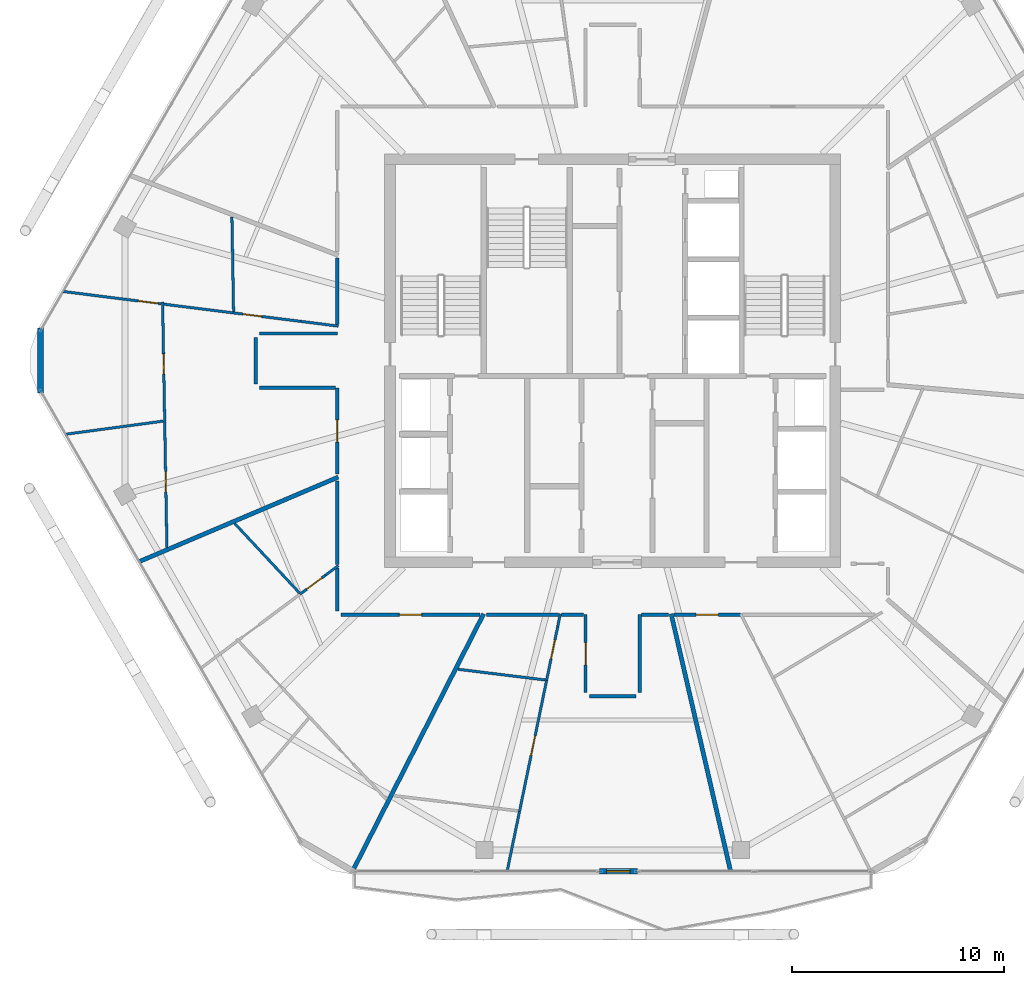
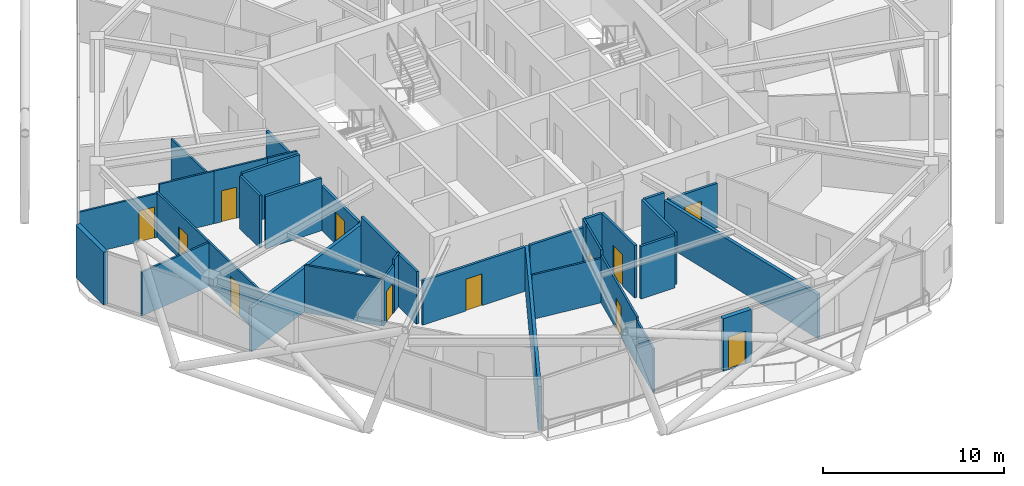
# One storey, part 17 of 23: 35 walls, 12 doors, 12 openings.
"""IFC4 building model written with IfcOpenShell, lengths in metres."""

from ifc_helpers import new_model, si_unit, direction, frame, frame_2d, origin, place, context, subcontext, project, spatial, rectangle, extrude, material, layer, layer_set, type_object, element, fill, save


model = new_model("IFC4")

# Units and contexts
model_context = context("Model", 3, precision=1e-05, world=origin(), true_north=direction((0.0, 1.0)))
body_context = subcontext(model_context, "Body", "Model", "MODEL_VIEW")
ifc_project = project(units=[si_unit("LENGTHUNIT", "METRE"), si_unit("AREAUNIT", "SQUARE_METRE"), si_unit("VOLUMEUNIT", "CUBIC_METRE"), si_unit("PLANEANGLEUNIT", "RADIAN"), si_unit("MASSUNIT", "GRAM", prefix="KILO")], contexts=[model_context])

# Site, building, storey
site_placement = place(None, origin())
site = spatial("IfcSite", under=ifc_project, at=site_placement, CompositionType="ELEMENT")
building_placement = place(site_placement, origin())
building = spatial("IfcBuilding", under=site, at=building_placement, Name="Zuhravey Tower", CompositionType="ELEMENT")
storey_placement = place(building_placement, frame((0.0, 0.0, 323.39990234375)))
storey = spatial("IfcBuildingStorey", under=building, at=storey_placement, Name="L82", CompositionType="ELEMENT", Elevation=323.39990234375)

# Wall, opening, door
ifc_material_1 = material(Name="Gypsum fire-rated stud partition")
ifc_layer_1 = layer(ifc_material_1, 0.159912109375)
ifc_layer_set_1 = layer_set([ifc_layer_1], Name="Gypsum fire-rated stud partition")
wall_type_1 = type_object("IfcWallType", Name="Corridor Fire Partition 160", PredefinedType="PARTITIONING", material=ifc_layer_set_1)
wall_1_placement = place(storey_placement, frame((23.02001953125, 30.719970703125, 0.0), z_axis=(0.0, 0.0, 1.0), x_axis=(0.0, -1.0, 0.0)))
wall_1 = element("IfcWall", 1, at=wall_1_placement, inside=storey, type_object=wall_type_1, Name="L82 IW16 Partition 030", PredefinedType="PARTITIONING", context=body_context, shape_type="SweptSolid", body=[
    extrude(rectangle(XDim=4.07470703125, YDim=0.159912109375, at=frame_2d((2.037353515625, 0.0))), origin(), (0.0, 0.0, 1.0), 3.0),
])
opening_1_placement = place(wall_1_placement, frame((1.512451171875, 0.0, 0.0)))
opening_1 = element("IfcOpeningElement", 2, at=opening_1_placement, cuts=wall_1, Name="Opening APD1", PredefinedType="OPENING", context=body_context, shape_type="SweptSolid", body=[
    extrude(rectangle(XDim=1.050048828125, YDim=2.14990234375, at=frame_2d((0.52490234375, 1.074951171875))), frame((0.0, 0.092041015625, 0.0), z_axis=(0.0, -1.0, 0.0), x_axis=(1.0, 0.0, 0.0)), (0.0, 0.0, 1.0), 0.183837890625),
])
ifc_material_2 = material(Name="Solid-core oak fire-rated leaf")
door_type_1 = type_object("IfcDoorType", Name="Apartment Entrance Fire Door 1050x2150", OperationType="NOTDEFINED", PredefinedType="DOOR", material=ifc_material_2)
door_1_placement = place(opening_1_placement, frame((1.050048828125, 0.0, 0.0), z_axis=(0.0, 0.0, 1.0), x_axis=(-1.0, 0.0, 0.0)))
door_1 = element("IfcDoor", 3, at=door_1_placement, inside=storey, type_object=door_type_1, Name="L82 Door 030.1", OperationType="SINGLE_SWING_LEFT", OverallHeight=2.14990234375, OverallWidth=1.050048828125, PredefinedType="DOOR", context=body_context, shape_type="SweptSolid", body=[
    extrude(rectangle(XDim=1.050048828125, YDim=2.14990234375, at=frame_2d((0.52490234375, 1.074951171875))), frame((0.0, 0.02490234375, 0.0), z_axis=(0.0, -1.0, 0.0), x_axis=(1.0, 0.0, 0.0)), (0.0, 0.0, 1.0), 0.050048828125),
])
fill(opening_1, door_1)

wall_2_placement = place(storey_placement, frame((23.199951171875, 20.02001953125, 0.0), z_axis=(0.0, 0.0, 1.0), x_axis=(1.0, 0.0, 0.0)))
wall_2 = element("IfcWall", 4, at=wall_2_placement, inside=storey, type_object=wall_type_1, Name="L82 IW16 Partition 035", PredefinedType="PARTITIONING", context=body_context, shape_type="SweptSolid", body=[
    extrude(rectangle(XDim=6.541259765625, YDim=0.159912109375, at=frame_2d((3.2705078125, 0.0))), origin(), (0.0, 0.0, 1.0), 3.0),
])
opening_2_placement = place(wall_2_placement, frame((2.74560546875, 0.0, 0.0)))
opening_2 = element("IfcOpeningElement", 5, at=opening_2_placement, cuts=wall_2, Name="Opening APD1", PredefinedType="OPENING", context=body_context, shape_type="SweptSolid", body=[
    extrude(rectangle(XDim=1.050048828125, YDim=2.14990234375, at=frame_2d((0.52490234375, 1.074951171875))), frame((0.0, 0.092041015625, 0.0), z_axis=(0.0, -1.0, 0.0), x_axis=(1.0, 0.0, 0.0)), (0.0, 0.0, 1.0), 0.183837890625),
])
door_2_placement = place(opening_2_placement, frame((1.050048828125, 0.0, 0.0), z_axis=(0.0, 0.0, 1.0), x_axis=(-1.0, 0.0, 0.0)))
door_2 = element("IfcDoor", 6, at=door_2_placement, inside=storey, type_object=door_type_1, Name="L82 Door 035.1", OperationType="SINGLE_SWING_RIGHT", OverallHeight=2.14990234375, OverallWidth=1.050048828125, PredefinedType="DOOR", context=body_context, shape_type="SweptSolid", body=[
    extrude(rectangle(XDim=1.050048828125, YDim=2.14990234375, at=frame_2d((0.52490234375, 1.074951171875))), frame((0.0, 0.02490234375, 0.0), z_axis=(0.0, -1.0, 0.0), x_axis=(1.0, 0.0, 0.0)), (0.0, 0.0, 1.0), 0.050048828125),
])
fill(opening_2, door_2)

wall_3_placement = place(storey_placement, frame((34.719970703125, 20.02001953125, 0.0), z_axis=(0.0, 0.0, 1.0), x_axis=(0.0, -1.0, 0.0)))
wall_3 = element("IfcWall", 7, at=wall_3_placement, inside=storey, type_object=wall_type_1, Name="L82 IW16 Partition 039", PredefinedType="PARTITIONING", context=body_context, shape_type="SweptSolid", body=[
    extrude(rectangle(XDim=3.669921875, YDim=0.159912109375, at=frame_2d((1.8349609375, 0.0))), origin(), (0.0, 0.0, 1.0), 3.550048828125),
])
opening_3_placement = place(wall_3_placement, frame((1.31005859375, 0.0, 0.0)))
opening_3 = element("IfcOpeningElement", 8, at=opening_3_placement, cuts=wall_3, Name="Opening APD1", PredefinedType="OPENING", context=body_context, shape_type="SweptSolid", body=[
    extrude(rectangle(XDim=1.050048828125, YDim=2.14990234375, at=frame_2d((0.52490234375, 1.074951171875))), frame((0.0, 0.092041015625, 0.0), z_axis=(0.0, -1.0, 0.0), x_axis=(1.0, 0.0, 0.0)), (0.0, 0.0, 1.0), 0.183837890625),
])
door_3_placement = place(opening_3_placement, origin())
door_3 = element("IfcDoor", 9, at=door_3_placement, inside=storey, type_object=door_type_1, Name="L82 Door 039.1", OperationType="SINGLE_SWING_RIGHT", OverallHeight=2.14990234375, OverallWidth=1.050048828125, PredefinedType="DOOR", context=body_context, shape_type="SweptSolid", body=[
    extrude(rectangle(XDim=1.050048828125, YDim=2.14990234375, at=frame_2d((0.52490234375, 1.074951171875))), frame((0.0, 0.02490234375, 0.0), z_axis=(0.0, -1.0, 0.0), x_axis=(1.0, 0.0, 0.0)), (0.0, 0.0, 1.0), 0.050048828125),
])
fill(opening_3, door_3)

wall_4_placement = place(storey_placement, frame((38.896728515625, 20.02001953125, 0.0), z_axis=(0.0, 0.0, 1.0), x_axis=(1.0, 0.0, 0.0)))
wall_4 = element("IfcWall", 10, at=wall_4_placement, inside=storey, type_object=wall_type_1, Name="L82 IW16 Partition 043", PredefinedType="PARTITIONING", context=body_context, shape_type="SweptSolid", body=[
    extrude(rectangle(XDim=3.13232421875, YDim=0.159912109375, at=frame_2d((1.566162109375, 0.0))), origin(), (0.0, 0.0, 1.0), 3.0),
])
opening_4_placement = place(wall_4_placement, frame((1.041259765625, 0.0, 0.0)))
opening_4 = element("IfcOpeningElement", 11, at=opening_4_placement, cuts=wall_4, Name="Opening APD1", PredefinedType="OPENING", context=body_context, shape_type="SweptSolid", body=[
    extrude(rectangle(XDim=1.050048828125, YDim=2.14990234375, at=frame_2d((0.52490234375, 1.074951171875))), frame((0.0, 0.092041015625, 0.0), z_axis=(0.0, -1.0, 0.0), x_axis=(1.0, 0.0, 0.0)), (0.0, 0.0, 1.0), 0.183837890625),
])
door_4_placement = place(opening_4_placement, frame((1.050048828125, 0.0, 0.0), z_axis=(0.0, 0.0, 1.0), x_axis=(-1.0, 0.0, 0.0)))
door_4 = element("IfcDoor", 12, at=door_4_placement, inside=storey, type_object=door_type_1, Name="L82 Door 043.1", OperationType="SINGLE_SWING_RIGHT", OverallHeight=2.14990234375, OverallWidth=1.050048828125, PredefinedType="DOOR", context=body_context, shape_type="SweptSolid", body=[
    extrude(rectangle(XDim=1.050048828125, YDim=2.14990234375, at=frame_2d((0.52490234375, 1.074951171875))), frame((0.0, 0.02490234375, 0.0), z_axis=(0.0, -1.0, 0.0), x_axis=(1.0, 0.0, 0.0)), (0.0, 0.0, 1.0), 0.050048828125),
])
fill(opening_4, door_4)

# Walls
wall_5_placement = place(storey_placement, frame((23.02001953125, 33.280029296875, 0.0), z_axis=(0.0, 0.0, 1.0), x_axis=(-1.0, 0.0, 0.0)))
element("IfcWall", 13, at=wall_5_placement, inside=storey, type_object=wall_type_1, Name="L82 IW16 Partition 095", PredefinedType="PARTITIONING", context=body_context, shape_type="SweptSolid", body=[
    extrude(rectangle(XDim=3.669921875, YDim=0.159912109375, at=frame_2d((1.8349609375, 0.0))), origin(), (0.0, 0.0, 1.0), 3.550048828125),
])
wall_6_placement = place(storey_placement, frame((19.35009765625, 30.719970703125, 0.0), z_axis=(0.0, 0.0, 1.0), x_axis=(1.0, 0.0, 0.0)))
element("IfcWall", 14, at=wall_6_placement, inside=storey, type_object=wall_type_1, Name="L82 IW16 Partition 096", PredefinedType="PARTITIONING", context=body_context, shape_type="SweptSolid", body=[
    extrude(rectangle(XDim=3.581787109375, YDim=0.159912109375, at=frame_2d((1.791015625, 0.0))), origin(), (0.0, 0.0, 1.0), 3.550048828125),
])
wall_7_placement = place(storey_placement, frame((19.169921875, 33.10009765625, 0.0), z_axis=(0.0, 0.0, 1.0), x_axis=(0.0, -1.0, 0.0)))
element("IfcWall", 15, at=wall_7_placement, inside=storey, type_object=wall_type_1, Name="L82 IW16 Partition 097", PredefinedType="PARTITIONING", context=body_context, shape_type="SweptSolid", body=[
    extrude(rectangle(XDim=2.2001953125, YDim=0.159912109375, at=frame_2d((1.10009765625, 0.0))), origin(), (0.0, 0.0, 1.0), 3.550048828125),
])
wall_8_placement = place(storey_placement, frame((23.02001953125, 36.831787109375, 0.0), z_axis=(0.0, 0.0, 1.0), x_axis=(0.0, -1.0, 0.0)))
element("IfcWall", 16, at=wall_8_placement, inside=storey, type_object=wall_type_1, Name="L82 IW16 Partition 098", PredefinedType="PARTITIONING", context=body_context, shape_type="SweptSolid", body=[
    extrude(rectangle(XDim=3.13037109375, YDim=0.159912109375, at=frame_2d((1.565185546875, 0.0))), origin(), (0.0, 0.0, 1.0), 3.0),
])
wall_9_placement = place(storey_placement, frame((23.02001953125, 22.218994140625, 0.0), z_axis=(0.0, 0.0, 1.0), x_axis=(0.0, -1.0, 0.0)))
element("IfcWall", 17, at=wall_9_placement, inside=storey, type_object=wall_type_1, Name="L82 IW16 Partition 099", PredefinedType="PARTITIONING", context=body_context, shape_type="SweptSolid", body=[
    extrude(rectangle(XDim=2.01904296875, YDim=0.159912109375, at=frame_2d((1.009521484375, 0.0))), origin(), (0.0, 0.0, 1.0), 3.550048828125),
])
wall_10_placement = place(storey_placement, frame((23.02001953125, 26.334228515625, 0.0), z_axis=(0.0, 0.0, 1.0), x_axis=(0.0, -1.0, 0.0)))
element("IfcWall", 18, at=wall_10_placement, inside=storey, type_object=wall_type_1, Name="L82 IW16 Partition 100", PredefinedType="PARTITIONING", context=body_context, shape_type="SweptSolid", body=[
    extrude(rectangle(XDim=3.9453125, YDim=0.159912109375, at=frame_2d((1.97265625, 0.0))), origin(), (0.0, 0.0, 1.0), 3.550048828125),
])
wall_11_placement = place(storey_placement, frame((37.280029296875, 16.35009765625, 0.0), z_axis=(0.0, 0.0, 1.0), x_axis=(0.0, 1.0, 0.0)))
element("IfcWall", 19, at=wall_11_placement, inside=storey, type_object=wall_type_1, Name="L82 IW16 Partition 101", PredefinedType="PARTITIONING", context=body_context, shape_type="SweptSolid", body=[
    extrude(rectangle(XDim=3.669921875, YDim=0.159912109375, at=frame_2d((1.8349609375, 0.0))), origin(), (0.0, 0.0, 1.0), 3.550048828125),
])
wall_12_placement = place(storey_placement, frame((34.89990234375, 16.169921875, 0.0), z_axis=(0.0, 0.0, 1.0), x_axis=(1.0, 0.0, 0.0)))
element("IfcWall", 20, at=wall_12_placement, inside=storey, type_object=wall_type_1, Name="L82 IW16 Partition 102", PredefinedType="PARTITIONING", context=body_context, shape_type="SweptSolid", body=[
    extrude(rectangle(XDim=2.2001953125, YDim=0.159912109375, at=frame_2d((1.10009765625, 0.0))), origin(), (0.0, 0.0, 1.0), 3.550048828125),
])
wall_13_placement = place(storey_placement, frame((37.367919921875, 20.02001953125, 0.0), z_axis=(0.0, 0.0, 1.0), x_axis=(1.0, 0.0, 0.0)))
element("IfcWall", 21, at=wall_13_placement, inside=storey, type_object=wall_type_1, Name="L82 IW16 Partition 103", PredefinedType="PARTITIONING", context=body_context, shape_type="SweptSolid", body=[
    extrude(rectangle(XDim=1.267578125, YDim=0.159912109375, at=frame_2d((0.6337890625, 0.0))), origin(), (0.0, 0.0, 1.0), 3.550048828125),
])
wall_14_placement = place(storey_placement, frame((33.5927734375, 20.02001953125, 0.0), z_axis=(0.0, 0.0, 1.0), x_axis=(1.0, 0.0, 0.0)))
element("IfcWall", 22, at=wall_14_placement, inside=storey, type_object=wall_type_1, Name="L82 IW16 Partition 104", PredefinedType="PARTITIONING", context=body_context, shape_type="SweptSolid", body=[
    extrude(rectangle(XDim=1.039306640625, YDim=0.159912109375, at=frame_2d((0.51953125, 0.0))), origin(), (0.0, 0.0, 1.0), 3.550048828125),
])
wall_15_placement = place(storey_placement, frame((30.04931640625, 20.02001953125, 0.0), z_axis=(0.0, 0.0, 1.0), x_axis=(1.0, 0.0, 0.0)))
element("IfcWall", 23, at=wall_15_placement, inside=storey, type_object=wall_type_1, Name="L82 IW16 Partition 105", PredefinedType="PARTITIONING", context=body_context, shape_type="SweptSolid", body=[
    extrude(rectangle(XDim=3.40478515625, YDim=0.159912109375, at=frame_2d((1.702392578125, 0.0))), origin(), (0.0, 0.0, 1.0), 3.0),
])

# Wall, opening, door
ifc_material_3 = material(Name="Precast concrete C40/50", Category="concrete")
ifc_layer_2 = layer(ifc_material_3, 0.280029296875)
ifc_layer_set_2 = layer_set([ifc_layer_2], Name="Precast concrete C40/50")
wall_type_2 = type_object("IfcWallType", Name="Crown Architectural Wall 280", PredefinedType="SOLIDWALL", material=ifc_layer_set_2)
wall_16_placement = place(storey_placement, frame((37.16357421875, 7.92578125, 0.0), z_axis=(0.0, 0.0, 1.0), x_axis=(-1.0, 0.0, 0.0)))
wall_16 = element("IfcWall", 24, at=wall_16_placement, inside=storey, type_object=wall_type_2, Name="L82 Face 5 Facade Pier EW28-1", PredefinedType="SOLIDWALL", context=body_context, shape_type="SweptSolid", body=[
    extrude(rectangle(XDim=1.7900390625, YDim=0.280029296875, at=frame_2d((0.89501953125, 0.0))), origin(), (0.0, 0.0, 1.0), 3.550048828125),
])
opening_5_placement = place(wall_16_placement, frame((0.344970703125, 0.0, 0.0)))
opening_5 = element("IfcOpeningElement", 25, at=opening_5_placement, cuts=wall_16, Name="Opening BLD1", PredefinedType="OPENING", context=body_context, shape_type="SweptSolid", body=[
    extrude(rectangle(XDim=1.10009765625, YDim=2.199951171875, at=frame_2d((0.550048828125, 1.10009765625))), frame((0.0, 0.152099609375, 0.0), z_axis=(0.0, -1.0, 0.0), x_axis=(1.0, 0.0, 0.0)), (0.0, 0.0, 1.0), 0.303955078125),
])
ifc_material_4 = material(Name="Thermally broken aluminium and low-E glass", Category="aluminium")
door_type_2 = type_object("IfcDoorType", Name="Balcony & Sky-Tray Glazed Door 1100x2200", OperationType="NOTDEFINED", PredefinedType="DOOR", material=ifc_material_4)
door_5_placement = place(opening_5_placement, frame((1.10009765625, 0.0, 0.0), z_axis=(0.0, 0.0, 1.0), x_axis=(-1.0, 0.0, 0.0)))
door_5 = element("IfcDoor", 26, at=door_5_placement, inside=storey, type_object=door_type_2, Name="L82 Face 5 Wave Balcony Door", OperationType="SINGLE_SWING_LEFT", OverallHeight=2.199951171875, OverallWidth=1.10009765625, PredefinedType="DOOR", context=body_context, shape_type="SweptSolid", body=[
    extrude(rectangle(XDim=1.10009765625, YDim=2.199951171875, at=frame_2d((0.550048828125, 1.10009765625))), frame((0.0, 0.02490234375, 0.0), z_axis=(0.0, -1.0, 0.0), x_axis=(1.0, 0.0, 0.0)), (0.0, 0.0, 1.0), 0.050048828125),
])
fill(opening_5, door_5)

# Walls
wall_17_placement = place(storey_placement, frame((9.031494140625, 30.467529296875, 0.0), z_axis=(0.0, 0.0, 1.0), x_axis=(0.0, 1.0, 0.0)))
element("IfcWall", 27, at=wall_17_placement, inside=storey, type_object=wall_type_2, Name="L82 Rounded Corner Closure Wall EW28-06", PredefinedType="SOLIDWALL", context=body_context, shape_type="SweptSolid", body=[
    extrude(rectangle(XDim=3.06494140625, YDim=0.280029296875, at=frame_2d((1.532470703125, 0.0))), origin(), (0.0, 0.0, 1.0), 3.550048828125),
])
ifc_material_5 = material(Name="Gypsum double-stud party assembly")
ifc_layer_3 = layer(ifc_material_5, 0.199951171875)
ifc_layer_set_3 = layer_set([ifc_layer_3], Name="Gypsum double-stud party assembly")
wall_type_3 = type_object("IfcWallType", Name="Inter-Tenancy Party Wall 200", PredefinedType="PARTITIONING", material=ifc_layer_set_3)
wall_18_placement = place(storey_placement, frame((23.06005859375, 26.50732421875, 0.0), z_axis=(0.0, 0.0, 1.0), x_axis=(-0.920506642252, -0.390726914314, 0.0)))
element("IfcWall", 28, at=wall_18_placement, inside=storey, type_object=wall_type_3, Name="L82 IW20 Partition 067", PredefinedType="PARTITIONING", context=body_context, shape_type="SweptSolid", body=[
    extrude(rectangle(XDim=10.197265625, YDim=0.199951171875, at=frame_2d((5.0986328125, 0.0))), origin(), (0.0, 0.0, 1.0), 2.97021484375),
])
wall_19_placement = place(storey_placement, frame((29.916259765625, 20.06005859375, 0.0), z_axis=(0.0, 0.0, 1.0), x_axis=(-0.453984595432, -0.891009532559, 0.0)))
element("IfcWall", 29, at=wall_19_placement, inside=storey, type_object=wall_type_3, Name="L82 IW20 Partition 071", PredefinedType="PARTITIONING", context=body_context, shape_type="SweptSolid", body=[
    extrude(rectangle(XDim=13.617919921875, YDim=0.199951171875, at=frame_2d((6.80908203125, 0.0))), origin(), (0.0, 0.0, 1.0), 2.97021484375),
])
wall_20_placement = place(storey_placement, frame((38.756591796875, 20.06005859375, 0.0), z_axis=(0.0, 0.0, 1.0), x_axis=(0.224939685303, -0.974372689465, 0.0)))
element("IfcWall", 30, at=wall_20_placement, inside=storey, type_object=wall_type_3, Name="L82 IW20 Partition 075", PredefinedType="PARTITIONING", context=body_context, shape_type="SweptSolid", body=[
    extrude(rectangle(XDim=12.453369140625, YDim=0.199951171875, at=frame_2d((6.2265625, 0.0))), origin(), (0.0, 0.0, 1.0), 2.97021484375),
])

# Wall, openings, doors
ifc_material_6 = material(Name="Gypsum metal-stud partition")
ifc_layer_4 = layer(ifc_material_6, 0.1201171875)
ifc_layer_set_4 = layer_set([ifc_layer_4], Name="Gypsum metal-stud partition")
wall_type_4 = type_object("IfcWallType", Name="Unit Internal Partition 120", PredefinedType="PARTITIONING", material=ifc_layer_set_4)
wall_21_placement = place(storey_placement, frame((14.77978515625, 34.770263671875, 0.0), z_axis=(0.0, 0.0, 1.0), x_axis=(0.017447291159, -0.999847784431, 0.0)))
wall_21 = element("IfcWall", 31, at=wall_21_placement, inside=storey, type_object=wall_type_4, Name="L82 IW12 Partition 026", PredefinedType="PARTITIONING", context=body_context, shape_type="SweptSolid", body=[
    extrude(rectangle(XDim=11.586181640625, YDim=0.1201171875, at=frame_2d((5.79296875, 0.0))), origin(), (0.0, 0.0, 1.0), 3.0),
])
opening_6_placement = place(wall_21_placement, frame((2.45263671875, 0.0, 0.0)))
opening_6 = element("IfcOpeningElement", 32, at=opening_6_placement, cuts=wall_21, Name="Opening IND1", PredefinedType="OPENING", context=body_context, shape_type="SweptSolid", body=[
    extrude(rectangle(XDim=0.949951171875, YDim=2.10009765625, at=frame_2d((0.47509765625, 1.050048828125))), frame((0.0, 0.072021484375, 0.0), z_axis=(0.0, -1.0, 0.0), x_axis=(1.0, 0.0, 0.0)), (0.0, 0.0, 1.0), 0.14404296875),
])
opening_7_placement = place(wall_21_placement, frame((8.005126953125, 0.0, 0.0)))
opening_7 = element("IfcOpeningElement", 33, at=opening_7_placement, cuts=wall_21, Name="Opening IND1", PredefinedType="OPENING", context=body_context, shape_type="SweptSolid", body=[
    extrude(rectangle(XDim=0.949951171875, YDim=2.10009765625, at=frame_2d((0.47509765625, 1.050048828125))), frame((0.0, 0.072021484375, 0.0), z_axis=(0.0, -1.0, 0.0), x_axis=(1.0, 0.0, 0.0)), (0.0, 0.0, 1.0), 0.14404296875),
])
ifc_material_7 = material(Name="Painted engineered timber leaf", Category="wood")
door_type_3 = type_object("IfcDoorType", Name="Internal Room & Bedroom Door 950x2100", OperationType="NOTDEFINED", PredefinedType="DOOR", material=ifc_material_7)
door_6_placement = place(opening_6_placement, frame((0.949951171875, 0.0, 0.0), z_axis=(0.0, 0.0, 1.0), x_axis=(-1.0, 0.0, 0.0)))
door_6 = element("IfcDoor", 34, at=door_6_placement, inside=storey, type_object=door_type_3, Name="Apartment L82-02 Family Study Door", OperationType="SINGLE_SWING_LEFT", OverallHeight=2.10009765625, OverallWidth=0.949951171875, PredefinedType="DOOR", context=body_context, shape_type="SweptSolid", body=[
    extrude(rectangle(XDim=0.949951171875, YDim=2.10009765625, at=frame_2d((0.47509765625, 1.050048828125))), frame((0.0, 0.02490234375, 0.0), z_axis=(0.0, -1.0, 0.0), x_axis=(1.0, 0.0, 0.0)), (0.0, 0.0, 1.0), 0.050048828125),
])
fill(opening_6, door_6)
door_7_placement = place(opening_7_placement, frame((0.949951171875, 0.0, 0.0), z_axis=(0.0, 0.0, 1.0), x_axis=(-1.0, 0.0, 0.0)))
door_7 = element("IfcDoor", 35, at=door_7_placement, inside=storey, type_object=door_type_3, Name="Apartment L82-02 Dining Room Door", OperationType="SINGLE_SWING_RIGHT", OverallHeight=2.10009765625, OverallWidth=0.949951171875, PredefinedType="DOOR", context=body_context, shape_type="SweptSolid", body=[
    extrude(rectangle(XDim=0.949951171875, YDim=2.10009765625, at=frame_2d((0.47509765625, 1.050048828125))), frame((0.0, 0.02490234375, 0.0), z_axis=(0.0, -1.0, 0.0), x_axis=(1.0, 0.0, 0.0)), (0.0, 0.0, 1.0), 0.050048828125),
])
fill(opening_7, door_7)

# Wall, opening, door
wall_22_placement = place(storey_placement, frame((21.293701171875, 33.85009765625, 0.0), z_axis=(0.0, 0.0, 1.0), x_axis=(-0.992178326729, 0.1248285543, 0.0)))
wall_22 = element("IfcWall", 36, at=wall_22_placement, inside=storey, type_object=wall_type_4, Name="L82 IW12 Partition 027", PredefinedType="PARTITIONING", context=body_context, shape_type="SweptSolid", body=[
    extrude(rectangle(XDim=3.21728515625, YDim=0.1201171875, at=frame_2d((1.608642578125, 0.0))), origin(), (0.0, 0.0, 1.0), 3.550048828125),
])
opening_8_placement = place(wall_22_placement, frame((1.856201171875, 0.0, 0.0)))
opening_8 = element("IfcOpeningElement", 37, at=opening_8_placement, cuts=wall_22, Name="Opening WCD1", PredefinedType="OPENING", context=body_context, shape_type="SweptSolid", body=[
    extrude(rectangle(XDim=0.89990234375, YDim=2.10009765625, at=frame_2d((0.449951171875, 1.050048828125))), frame((0.0, 0.072021484375, 0.0), z_axis=(0.0, -1.0, 0.0), x_axis=(1.0, 0.0, 0.0)), (0.0, 0.0, 1.0), 0.14404296875),
])
ifc_material_8 = material(Name="Moisture-resistant timber leaf", Category="wood")
door_type_4 = type_object("IfcDoorType", Name="Bathroom & WC Internal Door 900x2100", OperationType="NOTDEFINED", PredefinedType="DOOR", material=ifc_material_8)
door_8_placement = place(opening_8_placement, frame((0.89990234375, 0.0, 0.0), z_axis=(0.0, 0.0, 1.0), x_axis=(-1.0, 0.0, 0.0)))
door_8 = element("IfcDoor", 38, at=door_8_placement, inside=storey, type_object=door_type_4, Name="Apartment L82-02 Bathroom Door", OperationType="SINGLE_SWING_LEFT", OverallHeight=2.10009765625, OverallWidth=0.89990234375, PredefinedType="DOOR", context=body_context, shape_type="SweptSolid", body=[
    extrude(rectangle(XDim=0.89990234375, YDim=2.10009765625, at=frame_2d((0.449951171875, 1.050048828125))), frame((0.0, 0.02490234375, 0.0), z_axis=(0.0, -1.0, 0.0), x_axis=(1.0, 0.0, 0.0)), (0.0, 0.0, 1.0), 0.050048828125),
])
fill(opening_8, door_8)

# Wall
wall_23_placement = place(storey_placement, frame((18.1015625, 34.251708984375, 0.0), z_axis=(0.0, 0.0, 1.0), x_axis=(-0.992185927593, 0.124768125279, 0.0)))
element("IfcWall", 39, at=wall_23_placement, inside=storey, type_object=wall_type_4, Name="L82 IW12 Partition 028", PredefinedType="PARTITIONING", context=body_context, shape_type="SweptSolid", body=[
    extrude(rectangle(XDim=3.277587890625, YDim=0.1201171875, at=frame_2d((1.638671875, 0.0))), origin(), (0.0, 0.0, 1.0), 3.550048828125),
])

# Wall, opening, door
wall_24_placement = place(storey_placement, frame((14.71337890625, 34.677734375, 0.0), z_axis=(0.0, 0.0, 1.0), x_axis=(-0.992180233529, 0.124813397493, 0.0)))
wall_24 = element("IfcWall", 40, at=wall_24_placement, inside=storey, type_object=wall_type_4, Name="L82 IW12 Partition 029", PredefinedType="PARTITIONING", context=body_context, shape_type="SweptSolid", body=[
    extrude(rectangle(XDim=4.669189453125, YDim=0.1201171875, at=frame_2d((2.33447265625, 0.0))), origin(), (0.0, 0.0, 1.0), 2.97021484375),
])
opening_9_placement = place(wall_24_placement, frame((0.139892578125, 0.0, 0.0)))
opening_9 = element("IfcOpeningElement", 41, at=opening_9_placement, cuts=wall_24, Name="Opening IND1", PredefinedType="OPENING", context=body_context, shape_type="SweptSolid", body=[
    extrude(rectangle(XDim=0.949951171875, YDim=2.10009765625, at=frame_2d((0.47509765625, 1.050048828125))), frame((0.0, 0.072021484375, 0.0), z_axis=(0.0, -1.0, 0.0), x_axis=(1.0, 0.0, 0.0)), (0.0, 0.0, 1.0), 0.14404296875),
])
door_9_placement = place(opening_9_placement, frame((0.949951171875, 0.0, 0.0), z_axis=(0.0, 0.0, 1.0), x_axis=(-1.0, 0.0, 0.0)))
door_9 = element("IfcDoor", 42, at=door_9_placement, inside=storey, type_object=door_type_3, Name="Apartment L82-02 Bedroom 1 Door", OperationType="SINGLE_SWING_RIGHT", OverallHeight=2.10009765625, OverallWidth=0.949951171875, PredefinedType="DOOR", context=body_context, shape_type="SweptSolid", body=[
    extrude(rectangle(XDim=0.949951171875, YDim=2.10009765625, at=frame_2d((0.47509765625, 1.050048828125))), frame((0.0, 0.02490234375, 0.0), z_axis=(0.0, -1.0, 0.0), x_axis=(1.0, 0.0, 0.0)), (0.0, 0.0, 1.0), 0.050048828125),
])
fill(opening_9, door_9)

wall_25_placement = place(storey_placement, frame((22.449951171875, 21.878173828125, 0.0), z_axis=(0.0, 0.0, 1.0), x_axis=(-0.801099101306, -0.598531728388, 0.0)))
wall_25 = element("IfcWall", 43, at=wall_25_placement, inside=storey, type_object=wall_type_4, Name="L82 IW12 Partition 032", PredefinedType="PARTITIONING", context=body_context, shape_type="SweptSolid", body=[
    extrude(rectangle(XDim=1.490966796875, YDim=0.1201171875, at=frame_2d((0.74560546875, 0.0))), origin(), (0.0, 0.0, 1.0), 3.2001953125),
])
opening_10_placement = place(wall_25_placement, frame((0.199951171875, 0.0, 0.0)))
opening_10 = element("IfcOpeningElement", 44, at=opening_10_placement, cuts=wall_25, Name="Opening WCD1", PredefinedType="OPENING", context=body_context, shape_type="SweptSolid", body=[
    extrude(rectangle(XDim=0.89990234375, YDim=2.10009765625, at=frame_2d((0.449951171875, 1.050048828125))), frame((0.0, 0.072021484375, 0.0), z_axis=(0.0, -1.0, 0.0), x_axis=(1.0, 0.0, 0.0)), (0.0, 0.0, 1.0), 0.14404296875),
])
door_10_placement = place(opening_10_placement, frame((0.89990234375, 0.0, 0.0), z_axis=(0.0, 0.0, 1.0), x_axis=(-1.0, 0.0, 0.0)))
door_10 = element("IfcDoor", 45, at=door_10_placement, inside=storey, type_object=door_type_4, Name="Apartment L82-03 Bathroom Door", OperationType="SINGLE_SWING_RIGHT", OverallHeight=2.10009765625, OverallWidth=0.89990234375, PredefinedType="DOOR", context=body_context, shape_type="SweptSolid", body=[
    extrude(rectangle(XDim=0.89990234375, YDim=2.10009765625, at=frame_2d((0.449951171875, 1.050048828125))), frame((0.0, 0.02490234375, 0.0), z_axis=(0.0, -1.0, 0.0), x_axis=(1.0, 0.0, 0.0)), (0.0, 0.0, 1.0), 0.050048828125),
])
fill(opening_10, door_10)

wall_26_placement = place(storey_placement, frame((33.405517578125, 19.449951171875, 0.0), z_axis=(0.0, 0.0, 1.0), x_axis=(-0.202468586372, -0.979288757993, 0.0)))
wall_26 = element("IfcWall", 46, at=wall_26_placement, inside=storey, type_object=wall_type_4, Name="L82 IW12 Partition 036", PredefinedType="PARTITIONING", context=body_context, shape_type="SweptSolid", body=[
    extrude(rectangle(XDim=2.592529296875, YDim=0.1201171875, at=frame_2d((1.29638671875, 0.0))), origin(), (0.0, 0.0, 1.0), 3.550048828125),
])
opening_11_placement = place(wall_26_placement, frame((0.638916015625, 0.0, 0.0)))
opening_11 = element("IfcOpeningElement", 47, at=opening_11_placement, cuts=wall_26, Name="Opening WCD1", PredefinedType="OPENING", context=body_context, shape_type="SweptSolid", body=[
    extrude(rectangle(XDim=0.89990234375, YDim=2.10009765625, at=frame_2d((0.449951171875, 1.050048828125))), frame((0.0, 0.072021484375, 0.0), z_axis=(0.0, -1.0, 0.0), x_axis=(1.0, 0.0, 0.0)), (0.0, 0.0, 1.0), 0.14404296875),
])
door_11_placement = place(opening_11_placement, frame((0.89990234375, 0.0, 0.0), z_axis=(0.0, 0.0, 1.0), x_axis=(-1.0, 0.0, 0.0)))
door_11 = element("IfcDoor", 48, at=door_11_placement, inside=storey, type_object=door_type_4, Name="Apartment L82-04 Bathroom Door", OperationType="SINGLE_SWING_LEFT", OverallHeight=2.10009765625, OverallWidth=0.89990234375, PredefinedType="DOOR", context=body_context, shape_type="SweptSolid", body=[
    extrude(rectangle(XDim=0.89990234375, YDim=2.10009765625, at=frame_2d((0.449951171875, 1.050048828125))), frame((0.0, 0.02490234375, 0.0), z_axis=(0.0, -1.0, 0.0), x_axis=(1.0, 0.0, 0.0)), (0.0, 0.0, 1.0), 0.050048828125),
])
fill(opening_11, door_11)

wall_27_placement = place(storey_placement, frame((32.880859375, 16.9111328125, 0.0), z_axis=(0.0, 0.0, 1.0), x_axis=(-0.202463483785, -0.979289812943, 0.0)))
wall_27 = element("IfcWall", 49, at=wall_27_placement, inside=storey, type_object=wall_type_4, Name="L82 IW12 Partition 037", PredefinedType="PARTITIONING", context=body_context, shape_type="SweptSolid", body=[
    extrude(rectangle(XDim=6.305419921875, YDim=0.1201171875, at=frame_2d((3.15283203125, 0.0))), origin(), (0.0, 0.0, 1.0), 3.2001953125),
])
opening_12_placement = place(wall_27_placement, frame((2.652587890625, 0.0, 0.0)))
opening_12 = element("IfcOpeningElement", 50, at=opening_12_placement, cuts=wall_27, Name="Opening IND1", PredefinedType="OPENING", context=body_context, shape_type="SweptSolid", body=[
    extrude(rectangle(XDim=0.949951171875, YDim=2.10009765625, at=frame_2d((0.47509765625, 1.050048828125))), frame((0.0, 0.072021484375, 0.0), z_axis=(0.0, -1.0, 0.0), x_axis=(1.0, 0.0, 0.0)), (0.0, 0.0, 1.0), 0.14404296875),
])
door_12_placement = place(opening_12_placement, frame((0.949951171875, 0.0, 0.0), z_axis=(0.0, 0.0, 1.0), x_axis=(-1.0, 0.0, 0.0)))
door_12 = element("IfcDoor", 51, at=door_12_placement, inside=storey, type_object=door_type_3, Name="Apartment L82-04 Home Office Door", OperationType="SINGLE_SWING_RIGHT", OverallHeight=2.10009765625, OverallWidth=0.949951171875, PredefinedType="DOOR", context=body_context, shape_type="SweptSolid", body=[
    extrude(rectangle(XDim=0.949951171875, YDim=2.10009765625, at=frame_2d((0.47509765625, 1.050048828125))), frame((0.0, 0.02490234375, 0.0), z_axis=(0.0, -1.0, 0.0), x_axis=(1.0, 0.0, 0.0)), (0.0, 0.0, 1.0), 0.050048828125),
])
fill(opening_12, door_12)

# Walls
wall_28_placement = place(storey_placement, frame((14.809814453125, 29.148193359375, 0.0), z_axis=(0.0, 0.0, 1.0), x_axis=(-0.99106212133, -0.133401168156, 0.0)))
element("IfcWall", 52, at=wall_28_placement, inside=storey, type_object=wall_type_4, Name="L82 IW12 Partition 064", PredefinedType="PARTITIONING", context=body_context, shape_type="SweptSolid", body=[
    extrude(rectangle(XDim=4.677734375, YDim=0.1201171875, at=frame_2d((2.3388671875, 0.0))), origin(), (0.0, 0.0, 1.0), 2.97021484375),
])
wall_29_placement = place(storey_placement, frame((23.064697265625, 33.627197265625, 0.0), z_axis=(0.0, 0.0, 1.0), x_axis=(-0.992172307506, 0.124876387752, 0.0)))
element("IfcWall", 53, at=wall_29_placement, inside=storey, type_object=wall_type_4, Name="L82 IW12 Partition 065", PredefinedType="PARTITIONING", context=body_context, shape_type="SweptSolid", body=[
    extrude(rectangle(XDim=1.784912109375, YDim=0.1201171875, at=frame_2d((0.892578125, 0.0))), origin(), (0.0, 0.0, 1.0), 3.550048828125),
])
wall_30_placement = place(storey_placement, frame((18.047607421875, 38.775634765625, 0.0), z_axis=(0.0, 0.0, 1.0), x_axis=(0.017410568339, -0.999848424567, 0.0)))
element("IfcWall", 54, at=wall_30_placement, inside=storey, type_object=wall_type_4, Name="L82 IW12 Partition 066", PredefinedType="PARTITIONING", context=body_context, shape_type="SweptSolid", body=[
    extrude(rectangle(XDim=4.459228515625, YDim=0.1201171875, at=frame_2d((2.2294921875, 0.0))), origin(), (0.0, 0.0, 1.0), 3.0),
])
wall_31_placement = place(storey_placement, frame((23.06494140625, 22.33740234375, 0.0), z_axis=(0.0, 0.0, 1.0), x_axis=(-0.801257856401, -0.598319185348, 0.0)))
element("IfcWall", 55, at=wall_31_placement, inside=storey, type_object=wall_type_4, Name="L82 IW12 Partition 069", PredefinedType="PARTITIONING", context=body_context, shape_type="SweptSolid", body=[
    extrude(rectangle(XDim=0.767578125, YDim=0.1201171875, at=frame_2d((0.3837890625, 0.0))), origin(), (0.0, 0.0, 1.0), 3.550048828125),
])
wall_32_placement = place(storey_placement, frame((18.181396484375, 24.319091796875, 0.0), z_axis=(0.0, 0.0, 1.0), x_axis=(0.682037898073, -0.73131682983, 0.0)))
element("IfcWall", 56, at=wall_32_placement, inside=storey, type_object=wall_type_4, Name="L82 IW12 Partition 070", PredefinedType="PARTITIONING", context=body_context, shape_type="SweptSolid", body=[
    extrude(rectangle(XDim=4.46875, YDim=0.1201171875, at=frame_2d((2.234375, 0.0))), origin(), (0.0, 0.0, 1.0), 3.2001953125),
])
wall_33_placement = place(storey_placement, frame((33.53271484375, 20.064453125, 0.0), z_axis=(0.0, 0.0, 1.0), x_axis=(-0.202695657212, -0.979241783498, 0.0)))
element("IfcWall", 57, at=wall_33_placement, inside=storey, type_object=wall_type_4, Name="L82 IW12 Partition 072", PredefinedType="PARTITIONING", context=body_context, shape_type="SweptSolid", body=[
    extrude(rectangle(XDim=0.62744140625, YDim=0.1201171875, at=frame_2d((0.313720703125, 0.0))), origin(), (0.0, 0.0, 1.0), 3.550048828125),
])
wall_34_placement = place(storey_placement, frame((31.604248046875, 10.736328125, 0.0), z_axis=(0.0, 0.0, 1.0), x_axis=(-0.202448350059, -0.979292941646, 0.0)))
element("IfcWall", 58, at=wall_34_placement, inside=storey, type_object=wall_type_4, Name="L82 IW12 Partition 073", PredefinedType="PARTITIONING", context=body_context, shape_type="SweptSolid", body=[
    extrude(rectangle(XDim=2.875, YDim=0.1201171875, at=frame_2d((1.4375, 0.0))), origin(), (0.0, 0.0, 1.0), 2.97021484375),
])
wall_35_placement = place(storey_placement, frame((28.70703125, 17.44873046875, 0.0), z_axis=(0.0, 0.0, 1.0), x_axis=(0.992543079952, -0.121894357702, 0.0)))
element("IfcWall", 59, at=wall_35_placement, inside=storey, type_object=wall_type_4, Name="L82 IW12 Partition 074", PredefinedType="PARTITIONING", context=body_context, shape_type="SweptSolid", body=[
    extrude(rectangle(XDim=4.14208984375, YDim=0.1201171875, at=frame_2d((2.071044921875, 0.0))), origin(), (0.0, 0.0, 1.0), 3.0),
])

save(model, "model.ifc")
